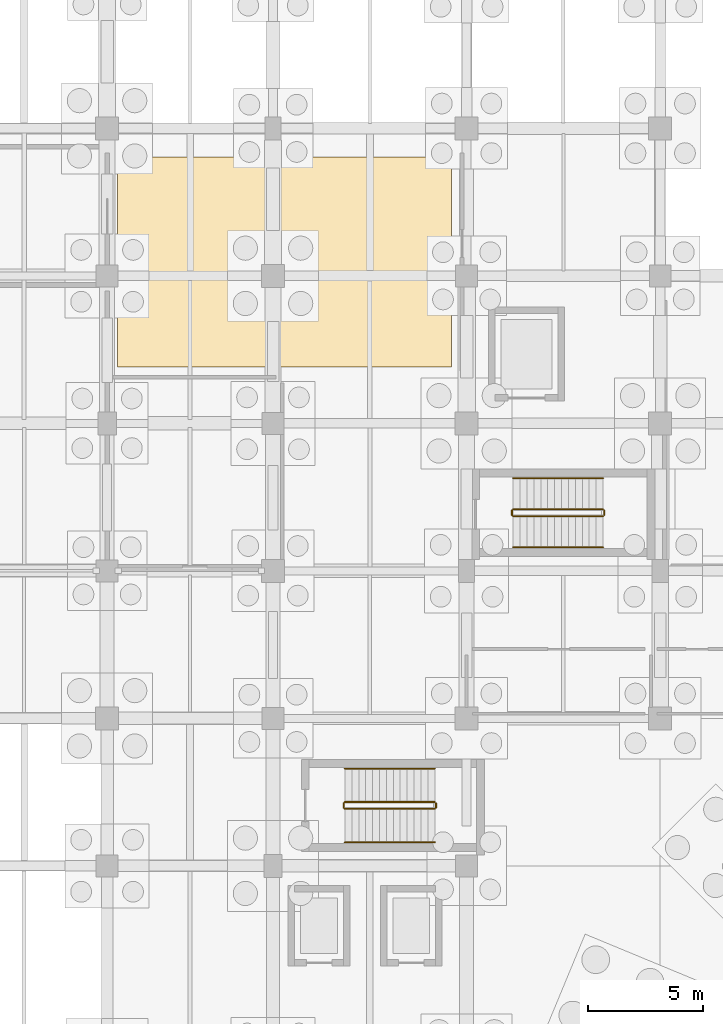
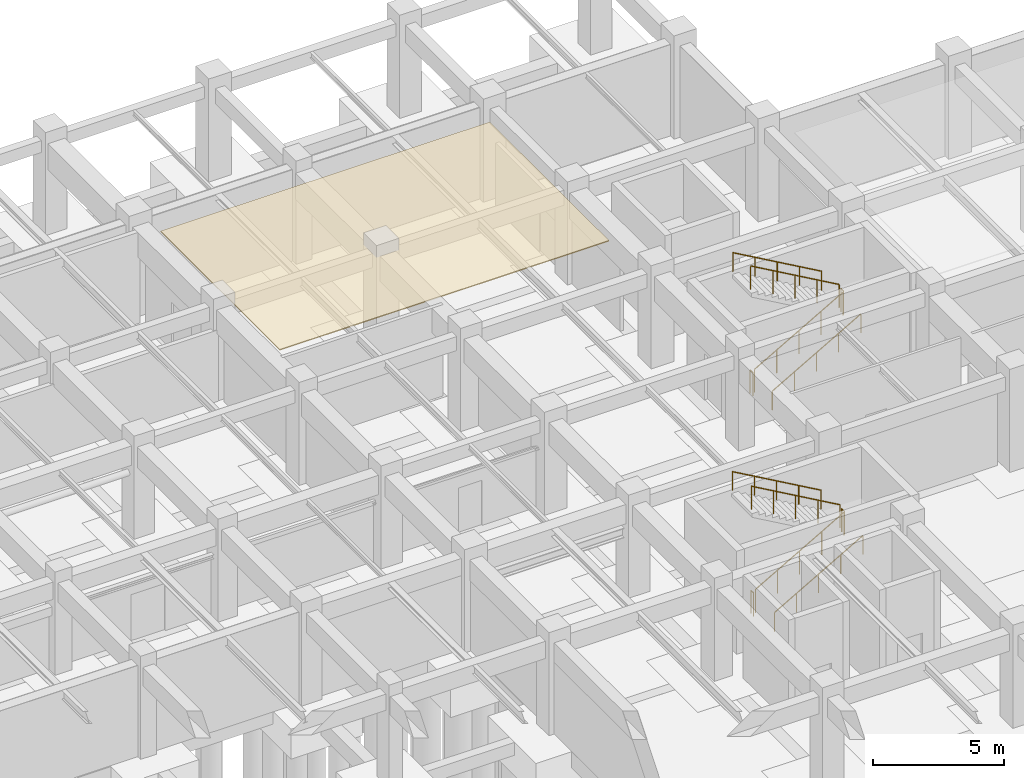
# One storey, part 41 of 44: 12 railings, 1 covering.
"""IFC4 building model written with IfcOpenShell, lengths in metres."""

from ifc_helpers import new_model, si_unit, direction, frame, origin, origin_2d, place, context, subcontext, project, spatial, polyline, circle, outline, extrude, material, layer, layer_set, type_object, element, save


model = new_model("IFC4")

# Units and contexts
model_context = context("Model", 3, precision=1e-05, world=origin(), true_north=direction((0.0, 1.0)))
body_context = subcontext(model_context, "Body", "Model", "MODEL_VIEW")
ifc_project = project(units=[si_unit("LENGTHUNIT", "METRE"), si_unit("AREAUNIT", "SQUARE_METRE"), si_unit("VOLUMEUNIT", "CUBIC_METRE"), si_unit("PLANEANGLEUNIT", "RADIAN"), si_unit("MASSUNIT", "GRAM", prefix="KILO")], contexts=[model_context])

# Site, building, storey
site_placement = place(None, origin())
site = spatial("IfcSite", under=ifc_project, at=site_placement, CompositionType="ELEMENT")
building_placement = place(site_placement, origin())
building = spatial("IfcBuilding", under=site, at=building_placement, Name="Korsvaeld Concert Hall", CompositionType="ELEMENT")
storey_placement = place(building_placement, frame((0.0, 0.0, -4.800048828125)))
storey = spatial("IfcBuildingStorey", under=building, at=storey_placement, Name="B1", CompositionType="ELEMENT", Elevation=-4.800048828125)

# Covering
ifc_material_1 = material(Name="Suspended sculpted European oak acoustic ceiling")
ifc_layer = layer(ifc_material_1, 0.044921875)
ifc_layer_set = layer_set([ifc_layer], Name="Suspended sculpted European oak acoustic ceiling")
covering_type = type_object("IfcCoveringType", Name="COV-CEIL-OAK", PredefinedType="CEILING", material=ifc_layer_set)
covering_placement = place(storey_placement, frame((0.0, 0.0, 4.205078125)))
element("IfcCovering", 1, at=covering_placement, inside=storey, type_object=covering_type, Name="Acoustic oak reflector ceiling B1-12", PredefinedType="CEILING", context=body_context, shape_type="SweptSolid", body=[
    extrude(outline(polyline([(43.64990234375, 107.550048828125), (58.14990234375, 107.550048828125), (58.14990234375, 98.449951171875), (43.64990234375, 98.449951171875), (43.64990234375, 107.550048828125)])), origin(), (0.0, 0.0, 1.0), 0.044921875),
])

# Railings
ifc_material_2 = material(Name="Powder-coated steel and bronze stair guardrail", Category="steel")
railing_type_1 = type_object("IfcRailingType", Name="RL-STAIR-GUARD-120", PredefinedType="GUARDRAIL", material=ifc_material_2)
railing_1_placement = place(storey_placement, frame((53.52001953125, 79.27001953125, 0.17138671875)))
element("IfcRailing", 2, at=railing_1_placement, inside=storey, type_object=railing_type_1, Name="B1 ST-K1 stair guard 1", PredefinedType="GUARDRAIL", context=body_context, shape_type="SweptSolid", body=[
    extrude(circle(Radius=0.02392578125, at=origin_2d()), frame((0.0, 0.0, 1.076171875), z_axis=(0.868219727965, 0.0, 0.496179910892), x_axis=(0.0, 1.0, 0.0)), (0.0, 0.0, 1.0), 4.491943359375),
    extrude(circle(Radius=0.02099609375, at=origin_2d()), origin(), (0.0, 0.0, 1.0), 1.052001953125),
    extrude(circle(Radius=0.02099609375, at=origin_2d()), frame((0.97509765625, 0.0, 0.55712890625)), (0.0, 0.0, 1.0), 1.052001953125),
    extrude(circle(Radius=0.02099609375, at=origin_2d()), frame((1.949951171875, 0.0, 1.1142578125)), (0.0, 0.0, 1.0), 1.052001953125),
    extrude(circle(Radius=0.02099609375, at=origin_2d()), frame((2.9248046875, 0.0, 1.671630859375)), (0.0, 0.0, 1.0), 1.052001953125),
    extrude(circle(Radius=0.02099609375, at=origin_2d()), frame((3.89990234375, 0.0, 2.228759765625)), (0.0, 0.0, 1.0), 1.052001953125),
])
railing_2_placement = place(storey_placement, frame((57.469970703125, 79.320068359375, 2.400146484375)))
element("IfcRailing", 3, at=railing_2_placement, inside=storey, type_object=railing_type_1, Name="B1 ST-K1 stair guard 2", PredefinedType="GUARDRAIL", context=body_context, shape_type="SweptSolid", body=[
    extrude(circle(Radius=0.02392578125, at=origin_2d()), frame((0.0, 0.0, 1.076171875), z_axis=(0.0, 1.0, 0.0), x_axis=(-1.0, 0.0, 0.0)), (0.0, 0.0, 1.0), 0.199951171875),
    extrude(circle(Radius=0.02099609375, at=origin_2d()), origin(), (0.0, 0.0, 1.0), 1.052001953125),
    extrude(circle(Radius=0.02099609375, at=origin_2d()), frame((0.0, 0.199951171875, 0.0)), (0.0, 0.0, 1.0), 1.052001953125),
])
railing_3_placement = place(storey_placement, frame((57.419921875, 79.570068359375, 2.571533203125)))
element("IfcRailing", 4, at=railing_3_placement, inside=storey, type_object=railing_type_1, Name="B1 ST-K1 stair guard 3", PredefinedType="GUARDRAIL", context=body_context, shape_type="SweptSolid", body=[
    extrude(circle(Radius=0.02392578125, at=origin_2d()), frame((0.0, 0.0, 1.076171875), z_axis=(-0.868243142124, 0.0, 0.496138938357), x_axis=(0.0, -1.0, 0.0)), (0.0, 0.0, 1.0), 4.49169921875),
    extrude(circle(Radius=0.02099609375, at=origin_2d()), origin(), (0.0, 0.0, 1.0), 1.052001953125),
    extrude(circle(Radius=0.02099609375, at=origin_2d()), frame((-0.97509765625, 0.0, 0.55712890625)), (0.0, 0.0, 1.0), 1.052001953125),
    extrude(circle(Radius=0.02099609375, at=origin_2d()), frame((-1.949951171875, 0.0, 1.1142578125)), (0.0, 0.0, 1.0), 1.052001953125),
    extrude(circle(Radius=0.02099609375, at=origin_2d()), frame((-2.9248046875, 0.0, 1.67138671875)), (0.0, 0.0, 1.0), 1.052001953125),
    extrude(circle(Radius=0.02099609375, at=origin_2d()), frame((-3.89990234375, 0.0, 2.228515625)), (0.0, 0.0, 1.0), 1.052001953125),
])
railing_4_placement = place(storey_placement, frame((53.469970703125, 79.320068359375, 0.0)))
element("IfcRailing", 5, at=railing_4_placement, inside=storey, type_object=railing_type_1, Name="B1 ST-K1 stair guard 4", PredefinedType="GUARDRAIL", context=body_context, shape_type="SweptSolid", body=[
    extrude(circle(Radius=0.02392578125, at=origin_2d()), frame((0.0, 0.0, 1.076171875), z_axis=(0.0, 1.0, 0.0), x_axis=(-1.0, 0.0, 0.0)), (0.0, 0.0, 1.0), 0.199951171875),
    extrude(circle(Radius=0.02099609375, at=origin_2d()), origin(), (0.0, 0.0, 1.0), 1.052001953125),
    extrude(circle(Radius=0.02099609375, at=origin_2d()), frame((0.0, 0.199951171875, 0.0)), (0.0, 0.0, 1.0), 1.052001953125),
])
railing_5_placement = place(storey_placement, frame((60.820068359375, 91.969970703125, 0.17138671875)))
element("IfcRailing", 6, at=railing_5_placement, inside=storey, type_object=railing_type_1, Name="B1 ST-K5 stair guard 1", PredefinedType="GUARDRAIL", context=body_context, shape_type="SweptSolid", body=[
    extrude(circle(Radius=0.02392578125, at=origin_2d()), frame((0.0, 0.0, 1.076171875), z_axis=(0.868219727965, 0.0, 0.496179910892), x_axis=(0.0, 1.0, 0.0)), (0.0, 0.0, 1.0), 4.491943359375),
    extrude(circle(Radius=0.02099609375, at=origin_2d()), origin(), (0.0, 0.0, 1.0), 1.052001953125),
    extrude(circle(Radius=0.02099609375, at=origin_2d()), frame((0.97509765625, 0.0, 0.55712890625)), (0.0, 0.0, 1.0), 1.052001953125),
    extrude(circle(Radius=0.02099609375, at=origin_2d()), frame((1.949951171875, 0.0, 1.1142578125)), (0.0, 0.0, 1.0), 1.052001953125),
    extrude(circle(Radius=0.02099609375, at=origin_2d()), frame((2.9248046875, 0.0, 1.671630859375)), (0.0, 0.0, 1.0), 1.052001953125),
    extrude(circle(Radius=0.02099609375, at=origin_2d()), frame((3.89990234375, 0.0, 2.228759765625)), (0.0, 0.0, 1.0), 1.052001953125),
])
railing_6_placement = place(storey_placement, frame((64.77001953125, 92.02001953125, 2.400146484375)))
element("IfcRailing", 7, at=railing_6_placement, inside=storey, type_object=railing_type_1, Name="B1 ST-K5 stair guard 2", PredefinedType="GUARDRAIL", context=body_context, shape_type="SweptSolid", body=[
    extrude(circle(Radius=0.02392578125, at=origin_2d()), frame((0.0, 0.0, 1.076171875), z_axis=(0.0, 1.0, 0.0), x_axis=(-1.0, 0.0, 0.0)), (0.0, 0.0, 1.0), 0.199951171875),
    extrude(circle(Radius=0.02099609375, at=origin_2d()), origin(), (0.0, 0.0, 1.0), 1.052001953125),
    extrude(circle(Radius=0.02099609375, at=origin_2d()), frame((0.0, 0.199951171875, 0.0)), (0.0, 0.0, 1.0), 1.052001953125),
])
railing_7_placement = place(storey_placement, frame((64.719970703125, 92.27001953125, 2.571533203125)))
element("IfcRailing", 8, at=railing_7_placement, inside=storey, type_object=railing_type_1, Name="B1 ST-K5 stair guard 3", PredefinedType="GUARDRAIL", context=body_context, shape_type="SweptSolid", body=[
    extrude(circle(Radius=0.02392578125, at=origin_2d()), frame((0.0, 0.0, 1.076171875), z_axis=(-0.868243142124, 0.0, 0.496138938357), x_axis=(0.0, -1.0, 0.0)), (0.0, 0.0, 1.0), 4.49169921875),
    extrude(circle(Radius=0.02099609375, at=origin_2d()), origin(), (0.0, 0.0, 1.0), 1.052001953125),
    extrude(circle(Radius=0.02099609375, at=origin_2d()), frame((-0.97509765625, 0.0, 0.55712890625)), (0.0, 0.0, 1.0), 1.052001953125),
    extrude(circle(Radius=0.02099609375, at=origin_2d()), frame((-1.949951171875, 0.0, 1.1142578125)), (0.0, 0.0, 1.0), 1.052001953125),
    extrude(circle(Radius=0.02099609375, at=origin_2d()), frame((-2.9248046875, 0.0, 1.67138671875)), (0.0, 0.0, 1.0), 1.052001953125),
    extrude(circle(Radius=0.02099609375, at=origin_2d()), frame((-3.89990234375, 0.0, 2.228515625)), (0.0, 0.0, 1.0), 1.052001953125),
])
railing_8_placement = place(storey_placement, frame((60.77001953125, 92.02001953125, 0.0)))
element("IfcRailing", 9, at=railing_8_placement, inside=storey, type_object=railing_type_1, Name="B1 ST-K5 stair guard 4", PredefinedType="GUARDRAIL", context=body_context, shape_type="SweptSolid", body=[
    extrude(circle(Radius=0.02392578125, at=origin_2d()), frame((0.0, 0.0, 1.076171875), z_axis=(0.0, 1.0, 0.0), x_axis=(-1.0, 0.0, 0.0)), (0.0, 0.0, 1.0), 0.199951171875),
    extrude(circle(Radius=0.02099609375, at=origin_2d()), origin(), (0.0, 0.0, 1.0), 1.052001953125),
    extrude(circle(Radius=0.02099609375, at=origin_2d()), frame((0.0, 0.199951171875, 0.0)), (0.0, 0.0, 1.0), 1.052001953125),
])
ifc_material_3 = material(Name="European oak and bronze stair handrail")
railing_type_2 = type_object("IfcRailingType", Name="RL-STAIR-HAND-90", PredefinedType="HANDRAIL", material=ifc_material_3)
railing_9_placement = place(storey_placement, frame((53.52001953125, 77.820068359375, 0.17138671875)))
element("IfcRailing", 10, at=railing_9_placement, inside=storey, type_object=railing_type_2, Name="B1 ST-K1 stair handrail 1", PredefinedType="HANDRAIL", context=body_context, shape_type="SweptSolid", body=[
    extrude(circle(Radius=0.02392578125, at=origin_2d()), frame((0.0, 0.0, 0.8759765625), z_axis=(0.868219727965, 0.0, 0.496179910892), x_axis=(0.0, 1.0, 0.0)), (0.0, 0.0, 1.0), 4.491943359375),
    extrude(circle(Radius=0.02099609375, at=origin_2d()), origin(), (0.0, 0.0, 1.0), 0.851806640625),
    extrude(circle(Radius=0.02099609375, at=origin_2d()), frame((0.97509765625, 0.0, 0.55712890625)), (0.0, 0.0, 1.0), 0.851806640625),
    extrude(circle(Radius=0.02099609375, at=origin_2d()), frame((1.949951171875, 0.0, 1.1142578125)), (0.0, 0.0, 1.0), 0.851806640625),
    extrude(circle(Radius=0.02099609375, at=origin_2d()), frame((2.9248046875, 0.0, 1.671630859375)), (0.0, 0.0, 1.0), 0.851806640625),
    extrude(circle(Radius=0.02099609375, at=origin_2d()), frame((3.89990234375, 0.0, 2.228759765625)), (0.0, 0.0, 1.0), 0.851806640625),
])
railing_10_placement = place(storey_placement, frame((57.419921875, 81.02001953125, 2.571533203125)))
element("IfcRailing", 11, at=railing_10_placement, inside=storey, type_object=railing_type_2, Name="B1 ST-K1 stair handrail 2", PredefinedType="HANDRAIL", context=body_context, shape_type="SweptSolid", body=[
    extrude(circle(Radius=0.02392578125, at=origin_2d()), frame((0.0, 0.0, 0.8759765625), z_axis=(-0.868243142124, 0.0, 0.496138938357), x_axis=(0.0, -1.0, 0.0)), (0.0, 0.0, 1.0), 4.49169921875),
    extrude(circle(Radius=0.02099609375, at=origin_2d()), origin(), (0.0, 0.0, 1.0), 0.851806640625),
    extrude(circle(Radius=0.02099609375, at=origin_2d()), frame((-0.97509765625, 0.0, 0.55712890625)), (0.0, 0.0, 1.0), 0.851806640625),
    extrude(circle(Radius=0.02099609375, at=origin_2d()), frame((-1.949951171875, 0.0, 1.1142578125)), (0.0, 0.0, 1.0), 0.851806640625),
    extrude(circle(Radius=0.02099609375, at=origin_2d()), frame((-2.9248046875, 0.0, 1.67138671875)), (0.0, 0.0, 1.0), 0.851806640625),
    extrude(circle(Radius=0.02099609375, at=origin_2d()), frame((-3.89990234375, 0.0, 2.228515625)), (0.0, 0.0, 1.0), 0.851806640625),
])
railing_11_placement = place(storey_placement, frame((60.820068359375, 90.6201171875, 0.17138671875)))
element("IfcRailing", 12, at=railing_11_placement, inside=storey, type_object=railing_type_2, Name="B1 ST-K5 stair handrail 1", PredefinedType="HANDRAIL", context=body_context, shape_type="SweptSolid", body=[
    extrude(circle(Radius=0.02392578125, at=origin_2d()), frame((0.0, 0.0, 0.8759765625), z_axis=(0.868219727965, 0.0, 0.496179910892), x_axis=(0.0, 1.0, 0.0)), (0.0, 0.0, 1.0), 4.491943359375),
    extrude(circle(Radius=0.02099609375, at=origin_2d()), origin(), (0.0, 0.0, 1.0), 0.851806640625),
    extrude(circle(Radius=0.02099609375, at=origin_2d()), frame((0.97509765625, 0.0, 0.55712890625)), (0.0, 0.0, 1.0), 0.851806640625),
    extrude(circle(Radius=0.02099609375, at=origin_2d()), frame((1.949951171875, 0.0, 1.1142578125)), (0.0, 0.0, 1.0), 0.851806640625),
    extrude(circle(Radius=0.02099609375, at=origin_2d()), frame((2.9248046875, 0.0, 1.671630859375)), (0.0, 0.0, 1.0), 0.851806640625),
    extrude(circle(Radius=0.02099609375, at=origin_2d()), frame((3.89990234375, 0.0, 2.228759765625)), (0.0, 0.0, 1.0), 0.851806640625),
])
railing_12_placement = place(storey_placement, frame((64.719970703125, 93.6201171875, 2.571533203125)))
element("IfcRailing", 13, at=railing_12_placement, inside=storey, type_object=railing_type_2, Name="B1 ST-K5 stair handrail 2", PredefinedType="HANDRAIL", context=body_context, shape_type="SweptSolid", body=[
    extrude(circle(Radius=0.02392578125, at=origin_2d()), frame((0.0, 0.0, 0.8759765625), z_axis=(-0.868243142124, 0.0, 0.496138938357), x_axis=(0.0, -1.0, 0.0)), (0.0, 0.0, 1.0), 4.49169921875),
    extrude(circle(Radius=0.02099609375, at=origin_2d()), origin(), (0.0, 0.0, 1.0), 0.851806640625),
    extrude(circle(Radius=0.02099609375, at=origin_2d()), frame((-0.97509765625, 0.0, 0.55712890625)), (0.0, 0.0, 1.0), 0.851806640625),
    extrude(circle(Radius=0.02099609375, at=origin_2d()), frame((-1.949951171875, 0.0, 1.1142578125)), (0.0, 0.0, 1.0), 0.851806640625),
    extrude(circle(Radius=0.02099609375, at=origin_2d()), frame((-2.9248046875, 0.0, 1.67138671875)), (0.0, 0.0, 1.0), 0.851806640625),
    extrude(circle(Radius=0.02099609375, at=origin_2d()), frame((-3.89990234375, 0.0, 2.228515625)), (0.0, 0.0, 1.0), 0.851806640625),
])

save(model, "model.ifc")
